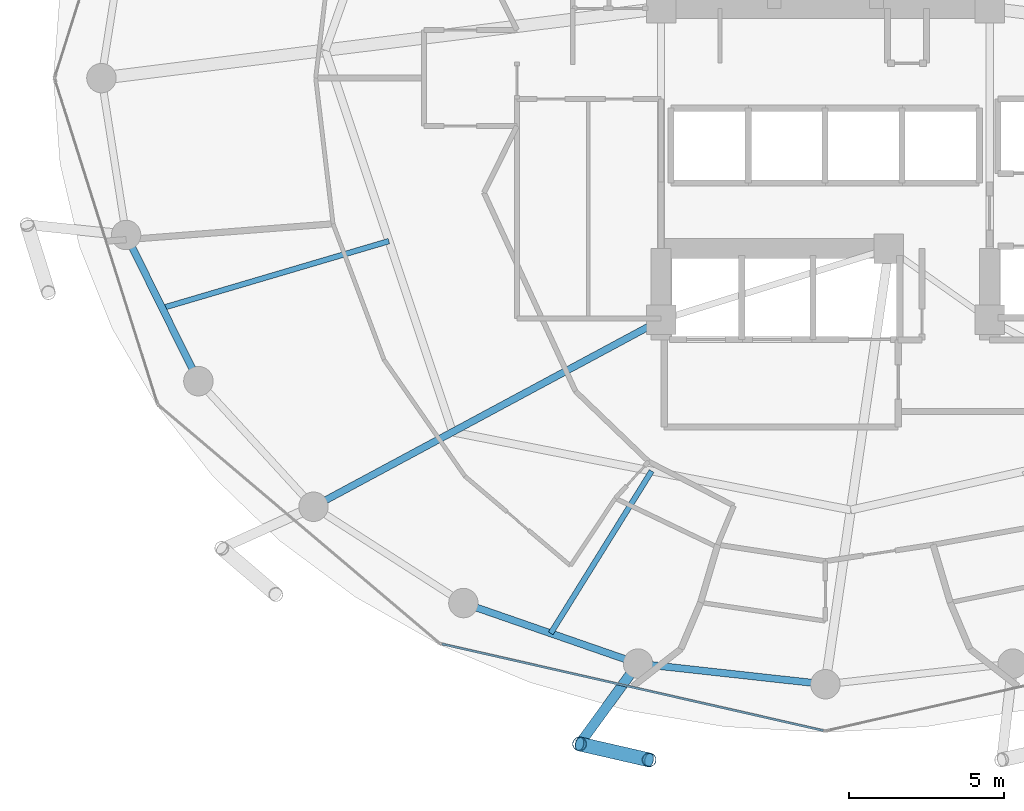
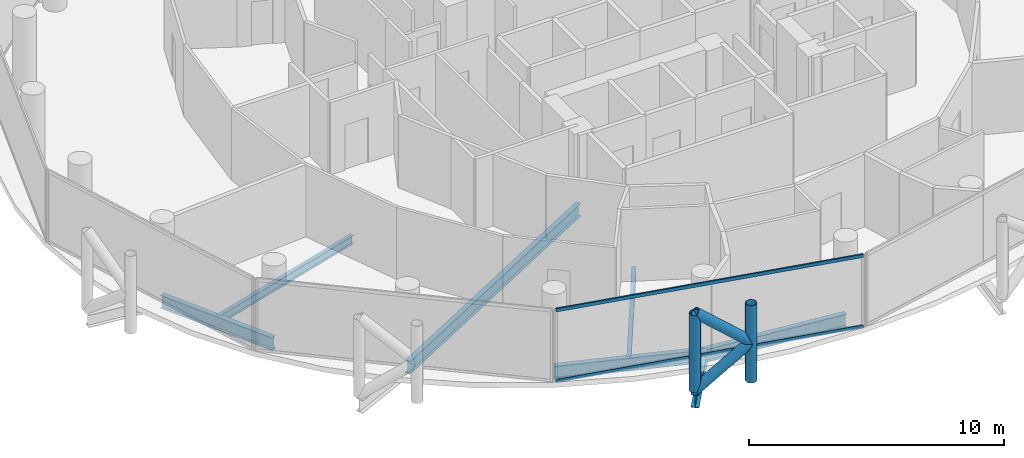
# One storey, part 3 of 26: 7 beams, 6 members, 1 element without a shape of its own.
"""IFC4 building model written with IfcOpenShell, lengths in metres."""

from ifc_helpers import new_model, si_unit, direction, frame, origin, origin_2d, place, context, subcontext, project, spatial, hollow_rectangle, hollow_circle, i_section, extrude, material, layer, layer_set, material_profile, profile_set, type_object, element, aggregate, save


model = new_model("IFC4")

# Units and contexts
model_context = context("Model", 3, precision=1e-05, world=origin(), true_north=direction((0.0, 1.0)))
body_context = subcontext(model_context, "Body", "Model", "MODEL_VIEW")
ifc_project = project(units=[si_unit("LENGTHUNIT", "METRE"), si_unit("AREAUNIT", "SQUARE_METRE"), si_unit("VOLUMEUNIT", "CUBIC_METRE"), si_unit("PLANEANGLEUNIT", "RADIAN"), si_unit("MASSUNIT", "GRAM", prefix="KILO")], contexts=[model_context])

# Site, building, storey
site_placement = place(None, origin())
site = spatial("IfcSite", under=ifc_project, at=site_placement, CompositionType="ELEMENT")
building_placement = place(site_placement, origin())
building = spatial("IfcBuilding", under=site, at=building_placement, Name="Nuhasar Tower", CompositionType="ELEMENT")
storey_placement = place(building_placement, frame((0.0, 0.0, 140.449951171875)))
storey = spatial("IfcBuildingStorey", under=building, at=storey_placement, Name="L33", CompositionType="ELEMENT", Elevation=140.449951171875)

# Beams
ifc_material_1 = material(Name="Steel S355", Category="steel")
ifc_material_profile_1 = material_profile(ifc_material_1, i_section(OverallWidth=0.177978515625, OverallDepth=0.406005859375, WebThickness=0.0078125, FlangeThickness=0.0126953125, at=origin_2d()), Name="W16X40")
ifc_profile_set_1 = profile_set([ifc_material_profile_1], Name="Steel S355")
beam_type_1 = type_object("IfcBeamType", Name="BM-JST-W16X40", PredefinedType="JOIST", material=ifc_profile_set_1)
beam_1_placement = place(storey_placement, frame((33.39697265625, 14.1279296875, -0.452880859375), z_axis=(-0.528139463011, -0.849157645912, 0.0), x_axis=(0.849157645912, -0.528139463011, 0.0)))
element("IfcBeam", 1, at=beam_1_placement, inside=storey, type_object=beam_type_1, Name="L33 Secondary Floor Joist 01", PredefinedType="JOIST", context=body_context, shape_type="SweptSolid", body=[
    extrude(i_section(OverallWidth=0.177978515625, OverallDepth=0.406005859375, WebThickness=0.0078125, FlangeThickness=0.0126953125, at=origin_2d()), origin(), (0.0, 0.0, 1.0), 6.164794921875),
])
beam_2_placement = place(storey_placement, frame((24.922119140625, 21.54296875, -0.452880859375), z_axis=(-0.959013356257, -0.283360869775, 0.0), x_axis=(0.283360869775, -0.959013356257, 0.0)))
element("IfcBeam", 2, at=beam_2_placement, inside=storey, type_object=beam_type_1, Name="L33 Secondary Floor Joist 08", PredefinedType="JOIST", context=body_context, shape_type="SweptSolid", body=[
    extrude(i_section(OverallWidth=0.177978515625, OverallDepth=0.406005859375, WebThickness=0.0078125, FlangeThickness=0.0126953125, at=origin_2d()), origin(), (0.0, 0.0, 1.0), 7.62255859375),
])
ifc_material_profile_2 = material_profile(ifc_material_1, i_section(OverallWidth=0.22900390625, OverallDepth=0.612060546875, WebThickness=0.011962890625, FlangeThickness=0.01953125, at=origin_2d()), Name="W24X84")
ifc_profile_set_2 = profile_set([ifc_material_profile_2], Name="Steel S355")
beam_type_2 = type_object("IfcBeamType", Name="BM-RAD-W24X84", PredefinedType="BEAM", material=ifc_profile_set_2)
beam_3_placement = place(storey_placement, frame((33.699951171875, 19.0, -0.555908203125), z_axis=(-0.880888386928, -0.473324043098, 0.0), x_axis=(0.473324043098, -0.880888386928, 0.0)))
element("IfcBeam", 3, at=beam_3_placement, inside=storey, type_object=beam_type_2, Name="L33 Radial Floor Girder 01", PredefinedType="BEAM", context=body_context, shape_type="SweptSolid", body=[
    extrude(i_section(OverallWidth=0.22900390625, OverallDepth=0.612060546875, WebThickness=0.011962890625, FlangeThickness=0.01953125, at=origin_2d()), origin(), (0.0, 0.0, 1.0), 12.726806640625),
])
ifc_material_profile_3 = material_profile(ifc_material_1, i_section(OverallWidth=0.22998046875, OverallDepth=0.616943359375, WebThickness=0.01318359375, FlangeThickness=0.022216796875, at=origin_2d()), Name="W24X94")
ifc_profile_set_3 = profile_set([ifc_material_profile_3], Name="Steel S355")
beam_type_3 = type_object("IfcBeamType", Name="BM-RING-W24X94", PredefinedType="SPANDREL", material=ifc_profile_set_3)
beam_4_placement = place(storey_placement, frame((16.446044921875, 21.739990234375, -0.558837890625), z_axis=(0.443329327657, -0.896358804966, 0.0), x_axis=(0.896358804966, 0.443329327657, 0.0)))
element("IfcBeam", 4, at=beam_4_placement, inside=storey, type_object=beam_type_3, Name="L33 Perimeter Ring Spandrel 14", PredefinedType="SPANDREL", context=body_context, shape_type="SweptSolid", body=[
    extrude(i_section(OverallWidth=0.22998046875, OverallDepth=0.616943359375, WebThickness=0.01318359375, FlangeThickness=0.022216796875, at=origin_2d()), origin(), (0.0, 0.0, 1.0), 5.26025390625),
])
beam_5_placement = place(storey_placement, frame((27.324951171875, 9.868896484375, -0.558837890625), z_axis=(0.944814057608, -0.327607076458, 0.0), x_axis=(0.327607076458, 0.944814057608, 0.0)))
element("IfcBeam", 5, at=beam_5_placement, inside=storey, type_object=beam_type_3, Name="L33 Perimeter Ring Spandrel 17", PredefinedType="SPANDREL", context=body_context, shape_type="SweptSolid", body=[
    extrude(i_section(OverallWidth=0.22998046875, OverallDepth=0.616943359375, WebThickness=0.01318359375, FlangeThickness=0.022216796875, at=origin_2d()), origin(), (0.0, 0.0, 1.0), 5.9609375),
])
beam_6_placement = place(storey_placement, frame((32.95703125, 7.916015625, -0.558837890625), z_axis=(0.993981289157, -0.109549974015, 0.0), x_axis=(0.109549974015, 0.993981289157, 0.0)))
element("IfcBeam", 6, at=beam_6_placement, inside=storey, type_object=beam_type_3, Name="L33 Perimeter Ring Spandrel 18", PredefinedType="SPANDREL", context=body_context, shape_type="SweptSolid", body=[
    extrude(i_section(OverallWidth=0.22998046875, OverallDepth=0.616943359375, WebThickness=0.01318359375, FlangeThickness=0.022216796875, at=origin_2d()), origin(), (0.0, 0.0, 1.0), 6.07958984375),
])
ifc_material_profile_4 = material_profile(ifc_material_1, i_section(OverallWidth=0.323974609375, OverallDepth=0.611083984375, WebThickness=0.0126953125, FlangeThickness=0.01904296875, at=origin_2d()), Name="W24X104")
ifc_profile_set_4 = profile_set([ifc_material_profile_4], Name="Steel S355")
beam_type_4 = type_object("IfcBeamType", Name="BM-TIE-W24X104", PredefinedType="BEAM", material=ifc_profile_set_4)
beam_7_placement = place(storey_placement, frame((32.95703125, 7.916015625, -0.555908203125), z_axis=(-0.588149050751, -0.808752554309, 0.0), x_axis=(0.808752554309, -0.588149050751, 0.0)))
element("IfcBeam", 7, at=beam_7_placement, inside=storey, type_object=beam_type_4, Name="L33 Exoskeleton Node Tie Beam 09", PredefinedType="BEAM", context=body_context, shape_type="SweptSolid", body=[
    extrude(i_section(OverallWidth=0.323974609375, OverallDepth=0.611083984375, WebThickness=0.0126953125, FlangeThickness=0.01904296875, at=origin_2d()), origin(), (0.0, 0.0, 1.0), 3.205078125),
])

# Curtain wall, members
ifc_material_2 = material(Name="Aluminium 6063-T6", Category="aluminium")
ifc_layer = layer(ifc_material_2, 0.199951171875)
ifc_layer_set = layer_set([ifc_layer], Name="Aluminium 6063-T6")
curtain_wall_type = type_object("IfcCurtainWallType", Name="CW-Z2-HTL", PredefinedType="NOTDEFINED", material=ifc_layer_set)
curtain_wall_placement = place(storey_placement, origin())
curtain_wall = element("IfcCurtainWall", 8, at=curtain_wall_placement, inside=storey, type_object=curtain_wall_type, Name="L33 Unitised Curtain Wall 09", PredefinedType="NOTDEFINED")
ifc_material_profile_5 = material_profile(ifc_material_2, hollow_rectangle(XDim=0.070068359375, YDim=0.159912109375, WallThickness=0.00439453125, at=origin_2d()), Name="CWT-3")
ifc_profile_set_5 = profile_set([ifc_material_profile_5], Name="Aluminium 6063-T6")
member_type_1 = type_object("IfcMemberType", Name="CW-TRN-S3", PredefinedType="USERDEFINED", material=ifc_profile_set_5)
member_1_placement = place(storey_placement, frame((26.63818359375, 8.54638671875, 0.03515625), z_axis=(0.975187615691, -0.221380022142, 0.0), x_axis=(0.221380022142, 0.975187615691, 0.0)))
member_1 = element("IfcMember", 9, at=member_1_placement, type_object=member_type_1, Name="CW-Z2 transom 1.1", ObjectType="TRANSOM", PredefinedType="USERDEFINED", context=body_context, shape_type="SweptSolid", body=[
    extrude(hollow_rectangle(XDim=0.070068359375, YDim=0.159912109375, WallThickness=0.00439453125, at=origin_2d()), origin(), (0.0, 0.0, 1.0), 12.606201171875),
])
member_2_placement = place(storey_placement, frame((26.63818359375, 8.54638671875, 3.4150390625), z_axis=(0.975187615691, -0.221380022142, 0.0), x_axis=(0.221380022142, 0.975187615691, 0.0)))
member_2 = element("IfcMember", 10, at=member_2_placement, type_object=member_type_1, Name="CW-Z2 transom 1.2", ObjectType="TRANSOM", PredefinedType="USERDEFINED", context=body_context, shape_type="SweptSolid", body=[
    extrude(hollow_rectangle(XDim=0.070068359375, YDim=0.159912109375, WallThickness=0.00439453125, at=origin_2d()), origin(), (0.0, 0.0, 1.0), 12.606201171875),
])
aggregate(curtain_wall, [member_1, member_2])

# Members
ifc_material_3 = material(Name="Steel S460", Category="steel")
ifc_material_profile_6 = material_profile(ifc_material_3, hollow_circle(Radius=0.228515625, WallThickness=0.022216796875, at=origin_2d()), Name="HSS457X22.2")
ifc_profile_set_6 = profile_set([ifc_material_profile_6], Name="Steel S460")
member_type_2 = type_object("IfcMemberType", Name="EXO-BRONZE-457", PredefinedType="BRACE", material=ifc_profile_set_6)
for number, where, z_axis, x_axis, name in (
    (11, (31.072021484375, 5.323974609375, 0.0), (0.0, 0.0, 1.0), (1.0, 0.0, 0.0), "L33 Exoskeleton Chord Column EC-09A"),
    (12, (33.31396484375, 4.81005859375, 0.0), (0.0, 0.0, 1.0), (1.0, 0.0, 0.0), "L33 Exoskeleton Chord Column EC-09B"),
):
    element("IfcMember", number, at=place(storey_placement, frame(where, z_axis=z_axis, x_axis=x_axis)), inside=storey, type_object=member_type_2, Name=name, PredefinedType="BRACE", context=body_context, shape_type="SweptSolid", body=[
        extrude(hollow_circle(Radius=0.228515625, WallThickness=0.022216796875, at=origin_2d()), origin(), (0.0, 0.0, 1.0), 3.699951171875),
    ])
member_3_placement = place(storey_placement, frame((31.072021484375, 5.323974609375, 0.0), z_axis=(0.759510488094, -0.174101010284, 0.626763637022), x_axis=(0.223432882746, 0.974719316987, 0.0)))
element("IfcMember", 13, at=member_3_placement, inside=storey, type_object=member_type_2, Name="L33 Bronze Diagrid Brace W1-09", PredefinedType="BRACE", context=body_context, shape_type="SweptSolid", body=[
    extrude(hollow_circle(Radius=0.228515625, WallThickness=0.022216796875, at=origin_2d()), origin(), (0.0, 0.0, 1.0), 2.951904296875),
])
member_4_placement = place(storey_placement, frame((33.31396484375, 4.81005859375, 1.85009765625), z_axis=(-0.759549860492, 0.174110035537, 0.626713415327), x_axis=(-0.223432882746, -0.974719316987, 0.0)))
element("IfcMember", 14, at=member_4_placement, inside=storey, type_object=member_type_2, Name="L33 Bronze Diagrid Brace W2-09", PredefinedType="BRACE", context=body_context, shape_type="SweptSolid", body=[
    extrude(hollow_circle(Radius=0.228515625, WallThickness=0.022216796875, at=origin_2d()), origin(), (0.0, 0.0, 1.0), 2.95166015625),
])

save(model, "model.ifc")
